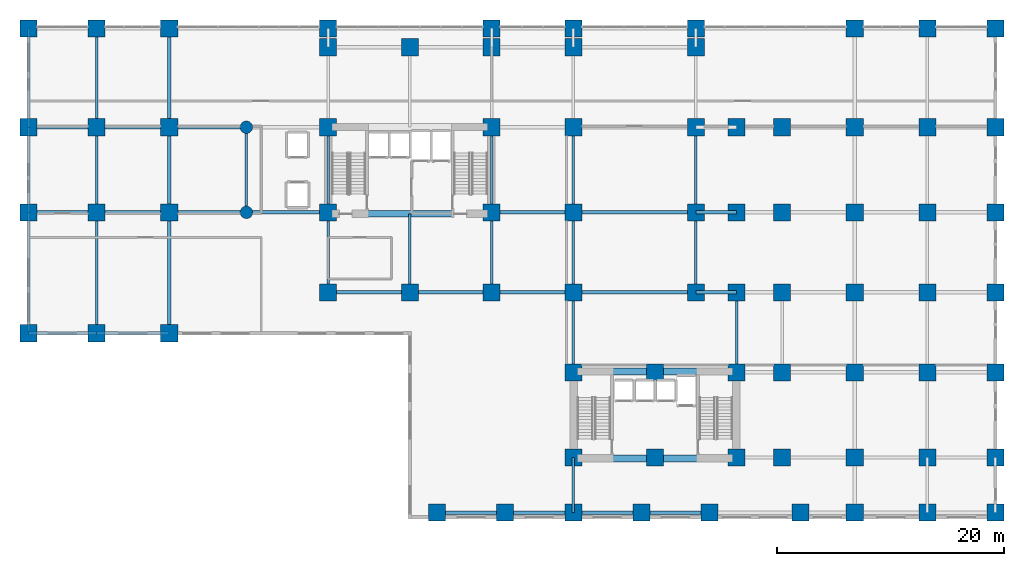
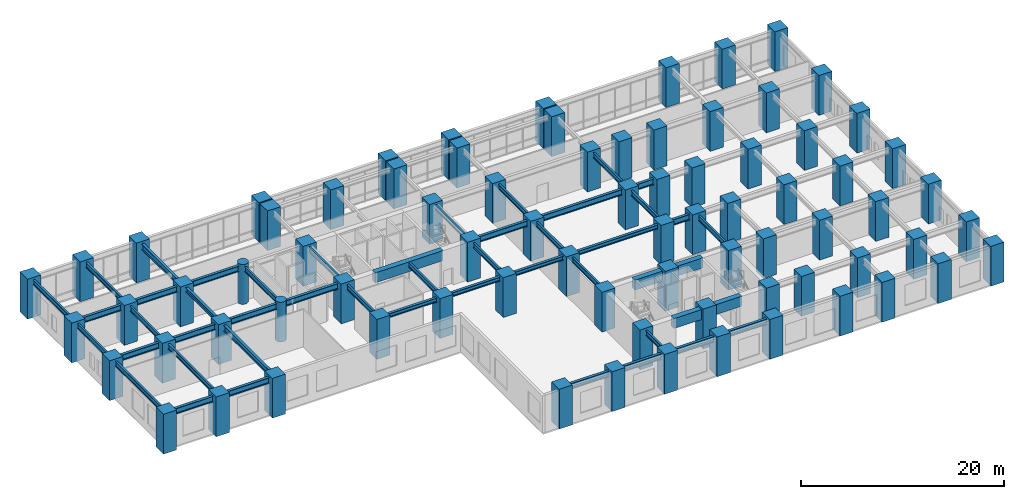
# One storey, part 1 of 22: 77 columns, 46 beams.
"""IFC4 building model written with IfcOpenShell, lengths in metres."""

from ifc_helpers import new_model, si_unit, direction, frame, origin, origin_2d, place, context, subcontext, project, spatial, rectangle, circle, i_section, extrude, source, transform, mapped, material, material_profile, profile_set, type_object, element, save


model = new_model("IFC4")

# Units and contexts
model_context = context("Model", 3, precision=1e-05, world=origin(), true_north=direction((0.0, 1.0)))
body_context = subcontext(model_context, "Body", "Model", "MODEL_VIEW")
ifc_project = project(units=[si_unit("LENGTHUNIT", "METRE"), si_unit("AREAUNIT", "SQUARE_METRE"), si_unit("VOLUMEUNIT", "CUBIC_METRE"), si_unit("PLANEANGLEUNIT", "RADIAN"), si_unit("MASSUNIT", "GRAM", prefix="KILO")], contexts=[model_context])

# Site, building, storey
site_placement = place(None, origin())
site = spatial("IfcSite", under=ifc_project, at=site_placement, CompositionType="ELEMENT")
building_placement = place(site_placement, origin())
building = spatial("IfcBuilding", under=site, at=building_placement, Name="Kaliganga Portal Commons", CompositionType="ELEMENT")
storey_placement = place(building_placement, frame((0.0, 0.0, 10.199951171875)))
storey = spatial("IfcBuildingStorey", under=building, at=storey_placement, Name="L02", CompositionType="ELEMENT", Elevation=10.199951171875)

# Columns
ifc_material_1 = material(Name="Concrete C60/75", Category="concrete")
ifc_material_profile_1 = material_profile(ifc_material_1, circle(Radius=0.550048828125, at=origin_2d()), Name="RC COL D1100")
ifc_profile_set_1 = profile_set([ifc_material_profile_1], Name="Concrete C60/75")
column_type_1 = type_object("IfcColumnType", Name="COL-POD-CIRC", PredefinedType="COLUMN", material=ifc_profile_set_1)
shared_shape_1 = source(origin(), body_context, "Body", "SweptSolid", [
    extrude(circle(Radius=0.550048828125, at=origin_2d()), origin(), (0.0, 0.0, 1.0), 4.800048828125),
])
for number, where, z_axis, x_axis, name in (
    (1, (7.199951171875, 28.64990234375, 0.0), (0.0, 0.0, 1.0), (1.0, 0.0, 0.0), "Column MC-07 L02"),
    (2, (7.199951171875, 36.14990234375, 0.0), (0.0, 0.0, 1.0), (1.0, 0.0, 0.0), "Column MC-07 L02"),
):
    element("IfcColumn", number, at=place(storey_placement, frame(where, z_axis=z_axis, x_axis=x_axis)), inside=storey, type_object=column_type_1, Name=name, PredefinedType="COLUMN", context=body_context, shape_type="MappedRepresentation", body=[
        mapped(shared_shape_1, transform((0.0, 0.0, 0.0), x_axis=(1.0, 0.0, 0.0), y_axis=(0.0, 1.0, 0.0), z_axis=(0.0, 0.0, 1.0), scale=1.0)),
    ])
ifc_material_2 = material(Name="Concrete C70/85", Category="concrete")
ifc_material_profile_2 = material_profile(ifc_material_2, rectangle(XDim=1.5, YDim=1.5, at=origin_2d()), Name="RC 1500x1500")
ifc_profile_set_2 = profile_set([ifc_material_profile_2], Name="Concrete C70/85")
column_type_2 = type_object("IfcColumnType", Name="COL-MEGA-Z0", PredefinedType="COLUMN", material=ifc_profile_set_2)
shared_shape_2 = source(origin(), body_context, "Body", "SweptSolid", [
    extrude(rectangle(XDim=1.5, YDim=1.5, at=origin_2d()), origin(), (0.0, 0.0, 1.0), 4.800048828125),
])
for number, where, z_axis, x_axis, name in (
    (3, (14.39990234375, 21.60009765625, 0.0), (0.0, 0.0, 1.0), (1.0, 0.0, 0.0), "Column MC-01 L02"),
    (4, (14.39990234375, 28.64990234375, 0.0), (0.0, 0.0, 1.0), (1.0, 0.0, 0.0), "Column MC-01 L02"),
    (5, (14.39990234375, 36.14990234375, 0.0), (0.0, 0.0, 1.0), (1.0, 0.0, 0.0), "Column MC-01 L02"),
    (6, (14.39990234375, 43.199951171875, 0.0), (0.0, 0.0, 1.0), (1.0, 0.0, 0.0), "Column MC-01 L02"),
    (7, (21.60009765625, 21.60009765625, 0.0), (0.0, 0.0, 1.0), (1.0, 0.0, 0.0), "Column MC-01 L02"),
    (8, (21.60009765625, 43.199951171875, 0.0), (0.0, 0.0, 1.0), (1.0, 0.0, 0.0), "Column MC-01 L02"),
    (9, (28.800048828125, 21.60009765625, 0.0), (0.0, 0.0, 1.0), (1.0, 0.0, 0.0), "Column MC-01 L02"),
    (10, (28.800048828125, 28.64990234375, 0.0), (0.0, 0.0, 1.0), (1.0, 0.0, 0.0), "Column MC-01 L02"),
    (11, (28.800048828125, 36.14990234375, 0.0), (0.0, 0.0, 1.0), (1.0, 0.0, 0.0), "Column MC-01 L02"),
    (12, (28.800048828125, 43.199951171875, 0.0), (0.0, 0.0, 1.0), (1.0, 0.0, 0.0), "Column MC-01 L02"),
    (13, (36.0, 21.60009765625, 0.0), (0.0, 0.0, 1.0), (1.0, 0.0, 0.0), "Column MC-01 L02"),
    (14, (36.0, 43.199951171875, 0.0), (0.0, 0.0, 1.0), (1.0, 0.0, 0.0), "Column MC-01 L02"),
    (15, (36.0, 28.64990234375, 0.0), (0.0, 0.0, 1.0), (1.0, 0.0, 0.0), "Column MC-01 L02"),
    (16, (36.0, 36.14990234375, 0.0), (0.0, 0.0, 1.0), (1.0, 0.0, 0.0), "Column MC-01 L02"),
    (17, (46.800048828125, 21.60009765625, 0.0), (0.0, 0.0, 1.0), (1.0, 0.0, 0.0), "Column MC-01 L02"),
    (18, (46.800048828125, 28.64990234375, 0.0), (0.0, 0.0, 1.0), (1.0, 0.0, 0.0), "Column MC-01 L02"),
    (19, (46.800048828125, 36.14990234375, 0.0), (0.0, 0.0, 1.0), (1.0, 0.0, 0.0), "Column MC-01 L02"),
    (20, (46.800048828125, 43.199951171875, 0.0), (0.0, 0.0, 1.0), (1.0, 0.0, 0.0), "Column MC-01 L02"),
    (21, (36.0, 7.050048828125, 0.0), (0.0, 0.0, 1.0), (1.0, 0.0, 0.0), "Column MC-01 L02"),
    (22, (36.0, 14.550048828125, 0.0), (0.0, 0.0, 1.0), (1.0, 0.0, 0.0), "Column MC-01 L02"),
    (23, (43.199951171875, 7.050048828125, 0.0), (0.0, 0.0, 1.0), (1.0, 0.0, 0.0), "Column MC-01 L02"),
    (24, (43.199951171875, 14.550048828125, 0.0), (0.0, 0.0, 1.0), (1.0, 0.0, 0.0), "Column MC-01 L02"),
    (25, (50.39990234375, 7.050048828125, 0.0), (0.0, 0.0, 1.0), (1.0, 0.0, 0.0), "Column MC-01 L02"),
    (26, (50.39990234375, 14.550048828125, 0.0), (0.0, 0.0, 1.0), (1.0, 0.0, 0.0), "Column MC-01 L02"),
    (27, (50.39990234375, 21.60009765625, 0.0), (0.0, 0.0, 1.0), (1.0, 0.0, 0.0), "Column MC-01 L02"),
    (28, (50.39990234375, 28.64990234375, 0.0), (0.0, 0.0, 1.0), (1.0, 0.0, 0.0), "Column MC-01 L02"),
    (29, (50.39990234375, 36.14990234375, 0.0), (0.0, 0.0, 1.0), (1.0, 0.0, 0.0), "Column MC-01 L02"),
    (30, (54.39990234375, 7.050048828125, 0.0), (0.0, 0.0, 1.0), (1.0, 0.0, 0.0), "Column MC-01 L02"),
    (31, (54.39990234375, 14.550048828125, 0.0), (0.0, 0.0, 1.0), (1.0, 0.0, 0.0), "Column MC-01 L02"),
    (32, (54.39990234375, 21.60009765625, 0.0), (0.0, 0.0, 1.0), (1.0, 0.0, 0.0), "Column MC-01 L02"),
    (33, (54.39990234375, 28.64990234375, 0.0), (0.0, 0.0, 1.0), (1.0, 0.0, 0.0), "Column MC-01 L02"),
    (34, (54.39990234375, 36.14990234375, 0.0), (0.0, 0.0, 1.0), (1.0, 0.0, 0.0), "Column MC-01 L02"),
    (35, (0.39990234375, 18.0, 0.0), (0.0, 0.0, 1.0), (1.0, 0.0, 0.0), "Column MC-01 L02"),
    (36, (0.39990234375, 28.64990234375, 0.0), (0.0, 0.0, 1.0), (1.0, 0.0, 0.0), "Column MC-01 L02"),
    (37, (0.39990234375, 36.14990234375, 0.0), (0.0, 0.0, 1.0), (1.0, 0.0, 0.0), "Column MC-01 L02"),
    (38, (0.39990234375, 44.85009765625, 0.0), (0.0, 0.0, 1.0), (1.0, 0.0, 0.0), "Column MC-01 L02"),
    (39, (14.39990234375, 44.85009765625, 0.0), (0.0, 0.0, 1.0), (1.0, 0.0, 0.0), "Column MC-01 L02"),
    (40, (28.800048828125, 44.85009765625, 0.0), (0.0, 0.0, 1.0), (1.0, 0.0, 0.0), "Column MC-01 L02"),
    (41, (36.0, 44.85009765625, 0.0), (0.0, 0.0, 1.0), (1.0, 0.0, 0.0), "Column MC-01 L02"),
    (42, (46.800048828125, 44.85009765625, 0.0), (0.0, 0.0, 1.0), (1.0, 0.0, 0.0), "Column MC-01 L02"),
    (43, (60.800048828125, 44.85009765625, 0.0), (0.0, 0.0, 1.0), (1.0, 0.0, 0.0), "Column MC-01 L02"),
    (44, (60.800048828125, 36.14990234375, 0.0), (0.0, 0.0, 1.0), (1.0, 0.0, 0.0), "Column MC-01 L02"),
    (45, (60.800048828125, 28.64990234375, 0.0), (0.0, 0.0, 1.0), (1.0, 0.0, 0.0), "Column MC-01 L02"),
    (46, (60.800048828125, 21.60009765625, 0.0), (0.0, 0.0, 1.0), (1.0, 0.0, 0.0), "Column MC-01 L02"),
    (47, (60.800048828125, 14.550048828125, 0.0), (0.0, 0.0, 1.0), (1.0, 0.0, 0.0), "Column MC-01 L02"),
    (48, (60.800048828125, 7.050048828125, 0.0), (0.0, 0.0, 1.0), (1.0, 0.0, 0.0), "Column MC-01 L02"),
    (49, (60.800048828125, 2.199951171875, 0.0), (0.0, 0.0, 1.0), (1.0, 0.0, 0.0), "Column MC-01 L02"),
    (50, (56.0, 2.199951171875, 0.0), (0.0, 0.0, 1.0), (1.0, 0.0, 0.0), "Column MC-01 L02"),
    (51, (48.0, 2.199951171875, 0.0), (0.0, 0.0, 1.0), (1.0, 0.0, 0.0), "Column MC-01 L02"),
    (52, (42.0, 2.199951171875, 0.0), (0.0, 0.0, 1.0), (1.0, 0.0, 0.0), "Column MC-01 L02"),
    (53, (36.0, 2.199951171875, 0.0), (0.0, 0.0, 1.0), (1.0, 0.0, 0.0), "Column MC-01 L02"),
    (54, (30.0, 2.199951171875, 0.0), (0.0, 0.0, 1.0), (1.0, 0.0, 0.0), "Column MC-01 L02"),
    (55, (24.0, 2.199951171875, 0.0), (0.0, 0.0, 1.0), (1.0, 0.0, 0.0), "Column MC-01 L02"),
    (56, (-12.0, 18.0, 0.0), (0.0, 0.0, 1.0), (1.0, 0.0, 0.0), "Column MC-01 L02"),
    (57, (-12.0, 28.64990234375, 0.0), (0.0, 0.0, 1.0), (1.0, 0.0, 0.0), "Column MC-01 L02"),
    (58, (-12.0, 36.14990234375, 0.0), (0.0, 0.0, 1.0), (1.0, 0.0, 0.0), "Column MC-01 L02"),
    (59, (-12.0, 44.85009765625, 0.0), (0.0, 0.0, 1.0), (1.0, 0.0, 0.0), "Column MC-01 L02"),
    (60, (-6.0, 18.0, 0.0), (0.0, 0.0, 1.0), (1.0, 0.0, 0.0), "Column MC-01 L02"),
    (61, (-6.0, 28.64990234375, 0.0), (0.0, 0.0, 1.0), (1.0, 0.0, 0.0), "Column MC-01 L02"),
    (62, (-6.0, 36.14990234375, 0.0), (0.0, 0.0, 1.0), (1.0, 0.0, 0.0), "Column MC-01 L02"),
    (63, (-6.0, 44.85009765625, 0.0), (0.0, 0.0, 1.0), (1.0, 0.0, 0.0), "Column MC-01 L02"),
    (64, (67.199951171875, 2.199951171875, 0.0), (0.0, 0.0, 1.0), (1.0, 0.0, 0.0), "Column MC-01 L02"),
    (65, (67.199951171875, 7.050048828125, 0.0), (0.0, 0.0, 1.0), (1.0, 0.0, 0.0), "Column MC-01 L02"),
    (66, (67.199951171875, 14.550048828125, 0.0), (0.0, 0.0, 1.0), (1.0, 0.0, 0.0), "Column MC-01 L02"),
    (67, (67.199951171875, 21.60009765625, 0.0), (0.0, 0.0, 1.0), (1.0, 0.0, 0.0), "Column MC-01 L02"),
    (68, (67.199951171875, 28.64990234375, 0.0), (0.0, 0.0, 1.0), (1.0, 0.0, 0.0), "Column MC-01 L02"),
    (69, (67.199951171875, 36.14990234375, 0.0), (0.0, 0.0, 1.0), (1.0, 0.0, 0.0), "Column MC-01 L02"),
    (70, (67.199951171875, 44.85009765625, 0.0), (0.0, 0.0, 1.0), (1.0, 0.0, 0.0), "Column MC-01 L02"),
    (71, (73.199951171875, 2.199951171875, 0.0), (0.0, 0.0, 1.0), (1.0, 0.0, 0.0), "Column MC-01 L02"),
    (72, (73.199951171875, 7.050048828125, 0.0), (0.0, 0.0, 1.0), (1.0, 0.0, 0.0), "Column MC-01 L02"),
    (73, (73.199951171875, 14.550048828125, 0.0), (0.0, 0.0, 1.0), (1.0, 0.0, 0.0), "Column MC-01 L02"),
    (74, (73.199951171875, 21.60009765625, 0.0), (0.0, 0.0, 1.0), (1.0, 0.0, 0.0), "Column MC-01 L02"),
    (75, (73.199951171875, 28.64990234375, 0.0), (0.0, 0.0, 1.0), (1.0, 0.0, 0.0), "Column MC-01 L02"),
    (76, (73.199951171875, 36.14990234375, 0.0), (0.0, 0.0, 1.0), (1.0, 0.0, 0.0), "Column MC-01 L02"),
    (77, (73.199951171875, 44.85009765625, 0.0), (0.0, 0.0, 1.0), (1.0, 0.0, 0.0), "Column MC-01 L02"),
):
    element("IfcColumn", number, at=place(storey_placement, frame(where, z_axis=z_axis, x_axis=x_axis)), inside=storey, type_object=column_type_2, Name=name, PredefinedType="COLUMN", context=body_context, shape_type="MappedRepresentation", body=[
        mapped(shared_shape_2, transform((0.0, 0.0, 0.0), x_axis=(1.0, 0.0, 0.0), y_axis=(0.0, 1.0, 0.0), z_axis=(0.0, 0.0, 1.0), scale=1.0)),
    ])

# Beams
ifc_material_profile_3 = material_profile(ifc_material_1, rectangle(XDim=0.60009765625, YDim=1.199951171875, at=origin_2d()), Name="RC 600x1200")
ifc_profile_set_3 = profile_set([ifc_material_profile_3], Name="Concrete C60/75")
beam_type_1 = type_object("IfcBeamType", Name="BM-CPL-1200", PredefinedType="LINTEL", material=ifc_profile_set_3)
shared_shape_3 = source(origin(), body_context, "Body", "SweptSolid", [
    extrude(rectangle(XDim=0.60009765625, YDim=1.199951171875, at=origin_2d()), origin(), (0.0, 0.0, 1.0), 7.739990234375),
])
for number, where, z_axis, x_axis, name in (
    (78, (17.72998046875, 28.52490234375, 3.920166015625), (1.0, 0.0, 0.0), (0.0, 1.0, 0.0), "BM CPL COREA L02 S"),
    (79, (39.330078125, 6.97509765625, 3.920166015625), (1.0, 0.0, 0.0), (0.0, 1.0, 0.0), "BM CPL COREB L02 S"),
    (80, (39.330078125, 14.625, 3.920166015625), (1.0, 0.0, 0.0), (0.0, 1.0, 0.0), "BM CPL COREB L02 N"),
):
    element("IfcBeam", number, at=place(storey_placement, frame(where, z_axis=z_axis, x_axis=x_axis)), inside=storey, type_object=beam_type_1, Name=name, PredefinedType="LINTEL", context=body_context, shape_type="MappedRepresentation", body=[
        mapped(shared_shape_3, transform((0.0, 0.0, 0.0), x_axis=(1.0, 0.0, 0.0), y_axis=(0.0, 1.0, 0.0), z_axis=(0.0, 0.0, 1.0), scale=1.0)),
    ])
ifc_material_3 = material(Name="Structural steel S355J2", Category="steel")
ifc_material_profile_4 = material_profile(ifc_material_3, i_section(OverallWidth=0.300048828125, OverallDepth=0.699951171875, WebThickness=0.01708984375, FlangeThickness=0.031982421875, FilletRadius=0.027099609375, at=origin_2d()), Name="HE 700 B")
ifc_profile_set_4 = profile_set([ifc_material_profile_4], Name="Structural steel S355J2 wide-flange")
beam_type_2 = type_object("IfcBeamType", Name="BM-GIRD-700", PredefinedType="USERDEFINED", material=ifc_profile_set_4)
shared_shape_4 = source(origin(), body_context, "Body", "SweptSolid", [
    extrude(i_section(OverallWidth=0.300048828125, OverallDepth=0.699951171875, WebThickness=0.01708984375, FlangeThickness=0.031982421875, FilletRadius=0.027099609375, at=origin_2d()), origin(), (0.0, 0.0, 1.0), 7.199951171875),
])
for number, where, z_axis, x_axis, name in (
    (81, (7.199951171875, 28.64990234375, 4.170166015625), (1.0, 0.0, 0.0), (0.0, 1.0, 0.0), "BM G L02 WAH_S 2"),
    (82, (28.800048828125, 28.64990234375, 4.170166015625), (1.0, 0.0, 0.0), (0.0, 1.0, 0.0), "BM G L02 WAE_S 1"),
):
    element("IfcBeam", number, at=place(storey_placement, frame(where, z_axis=z_axis, x_axis=x_axis)), inside=storey, type_object=beam_type_2, Name=name, ObjectType="GIRDER", PredefinedType="USERDEFINED", context=body_context, shape_type="MappedRepresentation", body=[
        mapped(shared_shape_4, transform((0.0, 0.0, 0.0), x_axis=(1.0, 0.0, 0.0), y_axis=(0.0, 1.0, 0.0), z_axis=(0.0, 0.0, 1.0), scale=1.0)),
    ])
shared_shape_5 = source(origin(), body_context, "Body", "SweptSolid", [
    extrude(i_section(OverallWidth=0.300048828125, OverallDepth=0.699951171875, WebThickness=0.01708984375, FlangeThickness=0.031982421875, FilletRadius=0.027099609375, at=origin_2d()), origin(), (0.0, 0.0, 1.0), 10.800048828125),
])
beam_1_placement = place(storey_placement, frame((36.0, 28.64990234375, 4.170166015625), z_axis=(1.0, 0.0, 0.0), x_axis=(0.0, 1.0, 0.0)))
element("IfcBeam", 83, at=beam_1_placement, inside=storey, type_object=beam_type_2, Name="BM G L02 WAE_S 2", ObjectType="GIRDER", PredefinedType="USERDEFINED", context=body_context, shape_type="MappedRepresentation", body=[
    mapped(shared_shape_5, transform((0.0, 0.0, 0.0), x_axis=(1.0, 0.0, 0.0), y_axis=(0.0, 1.0, 0.0), z_axis=(0.0, 0.0, 1.0), scale=1.0)),
])
shared_shape_6 = source(origin(), body_context, "Body", "SweptSolid", [
    extrude(i_section(OverallWidth=0.300048828125, OverallDepth=0.699951171875, WebThickness=0.01708984375, FlangeThickness=0.031982421875, FilletRadius=0.027099609375, at=origin_2d()), origin(), (0.0, 0.0, 1.0), 6.800048828125),
])
for number, where, z_axis, x_axis, name in (
    (84, (0.39990234375, 28.64990234375, 4.170166015625), (1.0, 0.0, 0.0), (0.0, 1.0, 0.0), "BM G L02 WAH_S 1"),
    (85, (0.39990234375, 36.14990234375, 4.170166015625), (1.0, 0.0, 0.0), (0.0, 1.0, 0.0), "BM G L02 WAH_N 1"),
):
    element("IfcBeam", number, at=place(storey_placement, frame(where, z_axis=z_axis, x_axis=x_axis)), inside=storey, type_object=beam_type_2, Name=name, ObjectType="GIRDER", PredefinedType="USERDEFINED", context=body_context, shape_type="MappedRepresentation", body=[
        mapped(shared_shape_6, transform((0.0, 0.0, 0.0), x_axis=(1.0, 0.0, 0.0), y_axis=(0.0, 1.0, 0.0), z_axis=(0.0, 0.0, 1.0), scale=1.0)),
    ])
ifc_material_profile_5 = material_profile(ifc_material_3, i_section(OverallWidth=0.219970703125, OverallDepth=0.60009765625, WebThickness=0.011962890625, FlangeThickness=0.01904296875, FilletRadius=0.02392578125, at=origin_2d()), Name="IPE 600")
ifc_profile_set_5 = profile_set([ifc_material_profile_5], Name="Structural steel S355J2 wide-flange")
beam_type_3 = type_object("IfcBeamType", Name="BM-FLR-600", PredefinedType="BEAM", material=ifc_profile_set_5)
shared_shape_7 = source(origin(), body_context, "Body", "SweptSolid", [
    extrude(i_section(OverallWidth=0.219970703125, OverallDepth=0.60009765625, WebThickness=0.011962890625, FlangeThickness=0.01904296875, FilletRadius=0.02392578125, at=origin_2d()), origin(), (0.0, 0.0, 1.0), 7.5),
])
for number, where, z_axis, x_axis, name in (
    (86, (7.199951171875, 28.64990234375, 4.219970703125), (0.0, 1.0, 0.0), (-1.0, 0.0, 0.0), "BM G L02 AW72"),
    (87, (14.39990234375, 28.64990234375, 4.219970703125), (0.0, 1.0, 0.0), (-1.0, 0.0, 0.0), "BM G L02 AM144"),
    (88, (28.800048828125, 28.64990234375, 4.219970703125), (0.0, 1.0, 0.0), (-1.0, 0.0, 0.0), "BM G L02 AM288"),
    (89, (36.0, 28.64990234375, 4.219970703125), (0.0, 1.0, 0.0), (-1.0, 0.0, 0.0), "BM G L02 AM360"),
    (90, (46.800048828125, 28.64990234375, 4.219970703125), (0.0, 1.0, 0.0), (-1.0, 0.0, 0.0), "BM G L02 AM468"),
    (91, (-12.0, 28.64990234375, 4.219970703125), (0.0, 1.0, 0.0), (-1.0, 0.0, 0.0), "BM PODW L02 X12 2"),
    (92, (-6.0, 28.64990234375, 4.219970703125), (0.0, 1.0, 0.0), (-1.0, 0.0, 0.0), "BM PODW L02 X6 2"),
):
    element("IfcBeam", number, at=place(storey_placement, frame(where, z_axis=z_axis, x_axis=x_axis)), inside=storey, type_object=beam_type_3, Name=name, PredefinedType="BEAM", context=body_context, shape_type="MappedRepresentation", body=[
        mapped(shared_shape_7, transform((0.0, 0.0, 0.0), x_axis=(1.0, 0.0, 0.0), y_axis=(0.0, 1.0, 0.0), z_axis=(0.0, 0.0, 1.0), scale=1.0)),
    ])
shared_shape_8 = source(origin(), body_context, "Body", "SweptSolid", [
    extrude(i_section(OverallWidth=0.219970703125, OverallDepth=0.60009765625, WebThickness=0.011962890625, FlangeThickness=0.01904296875, FilletRadius=0.02392578125, at=origin_2d()), origin(), (0.0, 0.0, 1.0), 7.050048828125),
])
for number, where, z_axis, x_axis, name in (
    (93, (36.0, 14.550048828125, 4.219970703125), (0.0, 1.0, 0.0), (-1.0, 0.0, 0.0), "BM G L02 BNK360"),
    (94, (50.39990234375, 14.550048828125, 4.219970703125), (0.0, 1.0, 0.0), (-1.0, 0.0, 0.0), "BM G L02 BNK504"),
):
    element("IfcBeam", number, at=place(storey_placement, frame(where, z_axis=z_axis, x_axis=x_axis)), inside=storey, type_object=beam_type_3, Name=name, PredefinedType="BEAM", context=body_context, shape_type="MappedRepresentation", body=[
        mapped(shared_shape_8, transform((0.0, 0.0, 0.0), x_axis=(1.0, 0.0, 0.0), y_axis=(0.0, 1.0, 0.0), z_axis=(0.0, 0.0, 1.0), scale=1.0)),
    ])
shared_shape_9 = source(origin(), body_context, "Body", "SweptSolid", [
    extrude(i_section(OverallWidth=0.219970703125, OverallDepth=0.60009765625, WebThickness=0.011962890625, FlangeThickness=0.01904296875, FilletRadius=0.02392578125, at=origin_2d()), origin(), (0.0, 0.0, 1.0), 7.0498046875),
])
for number, where, z_axis, x_axis, name in (
    (95, (14.39990234375, 21.60009765625, 4.219970703125), (0.0, 1.0, 0.0), (-1.0, 0.0, 0.0), "BM G L02 AS144"),
    (96, (28.800048828125, 21.60009765625, 4.219970703125), (0.0, 1.0, 0.0), (-1.0, 0.0, 0.0), "BM G L02 AS288"),
    (97, (36.0, 21.60009765625, 4.219970703125), (0.0, 1.0, 0.0), (-1.0, 0.0, 0.0), "BM G L02 AS360"),
    (98, (46.800048828125, 21.60009765625, 4.219970703125), (0.0, 1.0, 0.0), (-1.0, 0.0, 0.0), "BM G L02 AS468"),
):
    element("IfcBeam", number, at=place(storey_placement, frame(where, z_axis=z_axis, x_axis=x_axis)), inside=storey, type_object=beam_type_3, Name=name, PredefinedType="BEAM", context=body_context, shape_type="MappedRepresentation", body=[
        mapped(shared_shape_9, transform((0.0, 0.0, 0.0), x_axis=(1.0, 0.0, 0.0), y_axis=(0.0, 1.0, 0.0), z_axis=(0.0, 0.0, 1.0), scale=1.0)),
    ])
shared_shape_10 = source(origin(), body_context, "Body", "SweptSolid", [
    extrude(i_section(OverallWidth=0.219970703125, OverallDepth=0.60009765625, WebThickness=0.011962890625, FlangeThickness=0.01904296875, FilletRadius=0.02392578125, at=origin_2d()), origin(), (0.0, 0.0, 1.0), 6.9248046875),
])
beam_2_placement = place(storey_placement, frame((21.60009765625, 21.60009765625, 4.219970703125), z_axis=(0.0, 1.0, 0.0), x_axis=(-1.0, 0.0, 0.0)))
element("IfcBeam", 99, at=beam_2_placement, inside=storey, type_object=beam_type_3, Name="BM G L02 AS216", PredefinedType="BEAM", context=body_context, shape_type="MappedRepresentation", body=[
    mapped(shared_shape_10, transform((0.0, 0.0, 0.0), x_axis=(1.0, 0.0, 0.0), y_axis=(0.0, 1.0, 0.0), z_axis=(0.0, 0.0, 1.0), scale=1.0)),
])
shared_shape_11 = source(origin(), body_context, "Body", "SweptSolid", [
    extrude(i_section(OverallWidth=0.300048828125, OverallDepth=0.699951171875, WebThickness=0.01708984375, FlangeThickness=0.031982421875, FilletRadius=0.027099609375, at=origin_2d()), origin(), (0.0, 0.0, 1.0), 3.599853515625),
])
for number, where, z_axis, x_axis, name in (
    (100, (46.800048828125, 21.60009765625, 4.170166015625), (1.0, 0.0, 0.0), (0.0, 1.0, 0.0), "BM G L02 BKE216 1"),
    (101, (46.800048828125, 28.64990234375, 4.170166015625), (1.0, 0.0, 0.0), (0.0, 1.0, 0.0), "BM G L02 BKE286 1"),
):
    element("IfcBeam", number, at=place(storey_placement, frame(where, z_axis=z_axis, x_axis=x_axis)), inside=storey, type_object=beam_type_2, Name=name, ObjectType="GIRDER", PredefinedType="USERDEFINED", context=body_context, shape_type="MappedRepresentation", body=[
        mapped(shared_shape_11, transform((0.0, 0.0, 0.0), x_axis=(1.0, 0.0, 0.0), y_axis=(0.0, 1.0, 0.0), z_axis=(0.0, 0.0, 1.0), scale=1.0)),
    ])
shared_shape_12 = source(origin(), body_context, "Body", "SweptSolid", [
    extrude(i_section(OverallWidth=0.300048828125, OverallDepth=0.699951171875, WebThickness=0.01708984375, FlangeThickness=0.031982421875, FilletRadius=0.027099609375, at=origin_2d()), origin(), (0.0, 0.0, 1.0), 10.64990234375),
])
beam_3_placement = place(storey_placement, frame((0.39990234375, 18.0, 4.170166015625), z_axis=(0.0, 1.0, 0.0), x_axis=(-1.0, 0.0, 0.0)))
element("IfcBeam", 102, at=beam_3_placement, inside=storey, type_object=beam_type_2, Name="BM PODP L02 W04 1", ObjectType="GIRDER", PredefinedType="USERDEFINED", context=body_context, shape_type="MappedRepresentation", body=[
    mapped(shared_shape_12, transform((0.0, 0.0, 0.0), x_axis=(1.0, 0.0, 0.0), y_axis=(0.0, 1.0, 0.0), z_axis=(0.0, 0.0, 1.0), scale=1.0)),
])
shared_shape_13 = source(origin(), body_context, "Body", "SweptSolid", [
    extrude(i_section(OverallWidth=0.300048828125, OverallDepth=0.699951171875, WebThickness=0.01708984375, FlangeThickness=0.031982421875, FilletRadius=0.027099609375, at=origin_2d()), origin(), (0.0, 0.0, 1.0), 8.7001953125),
])
beam_4_placement = place(storey_placement, frame((0.39990234375, 36.14990234375, 4.170166015625), z_axis=(0.0, 1.0, 0.0), x_axis=(-1.0, 0.0, 0.0)))
element("IfcBeam", 103, at=beam_4_placement, inside=storey, type_object=beam_type_2, Name="BM PODP L02 W04 3", ObjectType="GIRDER", PredefinedType="USERDEFINED", context=body_context, shape_type="MappedRepresentation", body=[
    mapped(shared_shape_13, transform((0.0, 0.0, 0.0), x_axis=(1.0, 0.0, 0.0), y_axis=(0.0, 1.0, 0.0), z_axis=(0.0, 0.0, 1.0), scale=1.0)),
])
shared_shape_14 = source(origin(), body_context, "Body", "SweptSolid", [
    extrude(i_section(OverallWidth=0.300048828125, OverallDepth=0.699951171875, WebThickness=0.01708984375, FlangeThickness=0.031982421875, FilletRadius=0.027099609375, at=origin_2d()), origin(), (0.0, 0.0, 1.0), 6.0),
])
for number, where, z_axis, x_axis, name in (
    (104, (24.0, 2.199951171875, 4.170166015625), (1.0, 0.0, 0.0), (0.0, 1.0, 0.0), "BM PODP L02 S02 1"),
    (105, (30.0, 2.199951171875, 4.170166015625), (1.0, 0.0, 0.0), (0.0, 1.0, 0.0), "BM PODP L02 S02 2"),
    (106, (36.0, 2.199951171875, 4.170166015625), (1.0, 0.0, 0.0), (0.0, 1.0, 0.0), "BM PODP L02 S02 3"),
    (107, (42.0, 2.199951171875, 4.170166015625), (1.0, 0.0, 0.0), (0.0, 1.0, 0.0), "BM PODP L02 S02 4"),
    (108, (-12.0, 18.0, 4.170166015625), (1.0, 0.0, 0.0), (0.0, 1.0, 0.0), "BM PODW L02 Y18 1"),
    (109, (-12.0, 28.64990234375, 4.170166015625), (1.0, 0.0, 0.0), (0.0, 1.0, 0.0), "BM PODW L02 Y28 1"),
    (110, (-12.0, 36.14990234375, 4.170166015625), (1.0, 0.0, 0.0), (0.0, 1.0, 0.0), "BM PODW L02 Y36 1"),
):
    element("IfcBeam", number, at=place(storey_placement, frame(where, z_axis=z_axis, x_axis=x_axis)), inside=storey, type_object=beam_type_2, Name=name, ObjectType="GIRDER", PredefinedType="USERDEFINED", context=body_context, shape_type="MappedRepresentation", body=[
        mapped(shared_shape_14, transform((0.0, 0.0, 0.0), x_axis=(1.0, 0.0, 0.0), y_axis=(0.0, 1.0, 0.0), z_axis=(0.0, 0.0, 1.0), scale=1.0)),
    ])
shared_shape_15 = source(origin(), body_context, "Body", "SweptSolid", [
    extrude(i_section(OverallWidth=0.219970703125, OverallDepth=0.60009765625, WebThickness=0.011962890625, FlangeThickness=0.01904296875, FilletRadius=0.02392578125, at=origin_2d()), origin(), (0.0, 0.0, 1.0), 4.85009765625),
])
beam_5_placement = place(storey_placement, frame((36.0, 2.199951171875, 4.219970703125), z_axis=(0.0, 1.0, 0.0), x_axis=(-1.0, 0.0, 0.0)))
element("IfcBeam", 111, at=beam_5_placement, inside=storey, type_object=beam_type_3, Name="BM PODP L02 ST36", PredefinedType="BEAM", context=body_context, shape_type="MappedRepresentation", body=[
    mapped(shared_shape_15, transform((0.0, 0.0, 0.0), x_axis=(1.0, 0.0, 0.0), y_axis=(0.0, 1.0, 0.0), z_axis=(0.0, 0.0, 1.0), scale=1.0)),
])
shared_shape_16 = source(origin(), body_context, "Body", "SweptSolid", [
    extrude(i_section(OverallWidth=0.300048828125, OverallDepth=0.699951171875, WebThickness=0.01708984375, FlangeThickness=0.031982421875, FilletRadius=0.027099609375, at=origin_2d()), origin(), (0.0, 0.0, 1.0), 6.39990234375),
])
for number, where, z_axis, x_axis, name in (
    (112, (-6.0, 18.0, 4.170166015625), (1.0, 0.0, 0.0), (0.0, 1.0, 0.0), "BM PODW L02 Y18 2"),
    (113, (-6.0, 28.64990234375, 4.170166015625), (1.0, 0.0, 0.0), (0.0, 1.0, 0.0), "BM PODW L02 Y28 2"),
    (114, (-6.0, 36.14990234375, 4.170166015625), (1.0, 0.0, 0.0), (0.0, 1.0, 0.0), "BM PODW L02 Y36 2"),
):
    element("IfcBeam", number, at=place(storey_placement, frame(where, z_axis=z_axis, x_axis=x_axis)), inside=storey, type_object=beam_type_2, Name=name, ObjectType="GIRDER", PredefinedType="USERDEFINED", context=body_context, shape_type="MappedRepresentation", body=[
        mapped(shared_shape_16, transform((0.0, 0.0, 0.0), x_axis=(1.0, 0.0, 0.0), y_axis=(0.0, 1.0, 0.0), z_axis=(0.0, 0.0, 1.0), scale=1.0)),
    ])
shared_shape_17 = source(origin(), body_context, "Body", "SweptSolid", [
    extrude(i_section(OverallWidth=0.219970703125, OverallDepth=0.60009765625, WebThickness=0.011962890625, FlangeThickness=0.01904296875, FilletRadius=0.02392578125, at=origin_2d()), origin(), (0.0, 0.0, 1.0), 10.64990234375),
])
for number, where, z_axis, x_axis, name in (
    (115, (-12.0, 18.0, 4.219970703125), (0.0, 1.0, 0.0), (-1.0, 0.0, 0.0), "BM PODW L02 X12 1"),
    (116, (-6.0, 18.0, 4.219970703125), (0.0, 1.0, 0.0), (-1.0, 0.0, 0.0), "BM PODW L02 X6 1"),
):
    element("IfcBeam", number, at=place(storey_placement, frame(where, z_axis=z_axis, x_axis=x_axis)), inside=storey, type_object=beam_type_3, Name=name, PredefinedType="BEAM", context=body_context, shape_type="MappedRepresentation", body=[
        mapped(shared_shape_17, transform((0.0, 0.0, 0.0), x_axis=(1.0, 0.0, 0.0), y_axis=(0.0, 1.0, 0.0), z_axis=(0.0, 0.0, 1.0), scale=1.0)),
    ])
shared_shape_18 = source(origin(), body_context, "Body", "SweptSolid", [
    extrude(i_section(OverallWidth=0.219970703125, OverallDepth=0.60009765625, WebThickness=0.011962890625, FlangeThickness=0.01904296875, FilletRadius=0.02392578125, at=origin_2d()), origin(), (0.0, 0.0, 1.0), 8.7001953125),
])
for number, where, z_axis, x_axis, name in (
    (117, (-12.0, 36.14990234375, 4.219970703125), (0.0, 1.0, 0.0), (-1.0, 0.0, 0.0), "BM PODW L02 X12 3"),
    (118, (-6.0, 36.14990234375, 4.219970703125), (0.0, 1.0, 0.0), (-1.0, 0.0, 0.0), "BM PODW L02 X6 3"),
):
    element("IfcBeam", number, at=place(storey_placement, frame(where, z_axis=z_axis, x_axis=x_axis)), inside=storey, type_object=beam_type_3, Name=name, PredefinedType="BEAM", context=body_context, shape_type="MappedRepresentation", body=[
        mapped(shared_shape_18, transform((0.0, 0.0, 0.0), x_axis=(1.0, 0.0, 0.0), y_axis=(0.0, 1.0, 0.0), z_axis=(0.0, 0.0, 1.0), scale=1.0)),
    ])
ifc_material_profile_6 = material_profile(ifc_material_3, i_section(OverallWidth=0.300048828125, OverallDepth=0.5, WebThickness=0.014404296875, FlangeThickness=0.028076171875, FilletRadius=0.027099609375, at=origin_2d()), Name="HE 500 B")
ifc_profile_set_6 = profile_set([ifc_material_profile_6], Name="Structural steel S355J2 wide-flange")
beam_type_4 = type_object("IfcBeamType", Name="BM-SPAND-500", PredefinedType="SPANDREL", material=ifc_profile_set_6)
shared_shape_19 = source(origin(), body_context, "Body", "SweptSolid", [
    extrude(i_section(OverallWidth=0.300048828125, OverallDepth=0.5, WebThickness=0.014404296875, FlangeThickness=0.028076171875, FilletRadius=0.027099609375, at=origin_2d()), origin(), (0.0, 0.0, 1.0), 7.2001953125),
])
beam_6_placement = place(storey_placement, frame((14.39990234375, 21.60009765625, 4.27001953125), z_axis=(1.0, 0.0, 0.0), x_axis=(0.0, 1.0, 0.0)))
element("IfcBeam", 119, at=beam_6_placement, inside=storey, type_object=beam_type_4, Name="BM SP L02 AS 1", PredefinedType="SPANDREL", context=body_context, shape_type="MappedRepresentation", body=[
    mapped(shared_shape_19, transform((0.0, 0.0, 0.0), x_axis=(1.0, 0.0, 0.0), y_axis=(0.0, 1.0, 0.0), z_axis=(0.0, 0.0, 1.0), scale=1.0)),
])
shared_shape_20 = source(origin(), body_context, "Body", "SweptSolid", [
    extrude(i_section(OverallWidth=0.300048828125, OverallDepth=0.5, WebThickness=0.014404296875, FlangeThickness=0.028076171875, FilletRadius=0.027099609375, at=origin_2d()), origin(), (0.0, 0.0, 1.0), 7.199951171875),
])
for number, where, z_axis, x_axis, name in (
    (120, (21.60009765625, 21.60009765625, 4.27001953125), (1.0, 0.0, 0.0), (0.0, 1.0, 0.0), "BM SP L02 AS 2"),
    (121, (28.800048828125, 21.60009765625, 4.27001953125), (1.0, 0.0, 0.0), (0.0, 1.0, 0.0), "BM SP L02 AS 3"),
):
    element("IfcBeam", number, at=place(storey_placement, frame(where, z_axis=z_axis, x_axis=x_axis)), inside=storey, type_object=beam_type_4, Name=name, PredefinedType="SPANDREL", context=body_context, shape_type="MappedRepresentation", body=[
        mapped(shared_shape_20, transform((0.0, 0.0, 0.0), x_axis=(1.0, 0.0, 0.0), y_axis=(0.0, 1.0, 0.0), z_axis=(0.0, 0.0, 1.0), scale=1.0)),
    ])
shared_shape_21 = source(origin(), body_context, "Body", "SweptSolid", [
    extrude(i_section(OverallWidth=0.300048828125, OverallDepth=0.5, WebThickness=0.014404296875, FlangeThickness=0.028076171875, FilletRadius=0.027099609375, at=origin_2d()), origin(), (0.0, 0.0, 1.0), 10.800048828125),
])
beam_7_placement = place(storey_placement, frame((36.0, 21.60009765625, 4.27001953125), z_axis=(1.0, 0.0, 0.0), x_axis=(0.0, 1.0, 0.0)))
element("IfcBeam", 122, at=beam_7_placement, inside=storey, type_object=beam_type_4, Name="BM SP L02 AS 4", PredefinedType="SPANDREL", context=body_context, shape_type="MappedRepresentation", body=[
    mapped(shared_shape_21, transform((0.0, 0.0, 0.0), x_axis=(1.0, 0.0, 0.0), y_axis=(0.0, 1.0, 0.0), z_axis=(0.0, 0.0, 1.0), scale=1.0)),
])
shared_shape_22 = source(origin(), body_context, "Body", "SweptSolid", [
    extrude(i_section(OverallWidth=0.300048828125, OverallDepth=0.5, WebThickness=0.014404296875, FlangeThickness=0.028076171875, FilletRadius=0.027099609375, at=origin_2d()), origin(), (0.0, 0.0, 1.0), 7.5),
])
beam_8_placement = place(storey_placement, frame((0.39990234375, 28.64990234375, 4.27001953125), z_axis=(0.0, 1.0, 0.0), x_axis=(-1.0, 0.0, 0.0)))
element("IfcBeam", 123, at=beam_8_placement, inside=storey, type_object=beam_type_4, Name="BM SP L02 AW", PredefinedType="SPANDREL", context=body_context, shape_type="MappedRepresentation", body=[
    mapped(shared_shape_22, transform((0.0, 0.0, 0.0), x_axis=(1.0, 0.0, 0.0), y_axis=(0.0, 1.0, 0.0), z_axis=(0.0, 0.0, 1.0), scale=1.0)),
])

save(model, "model.ifc")
